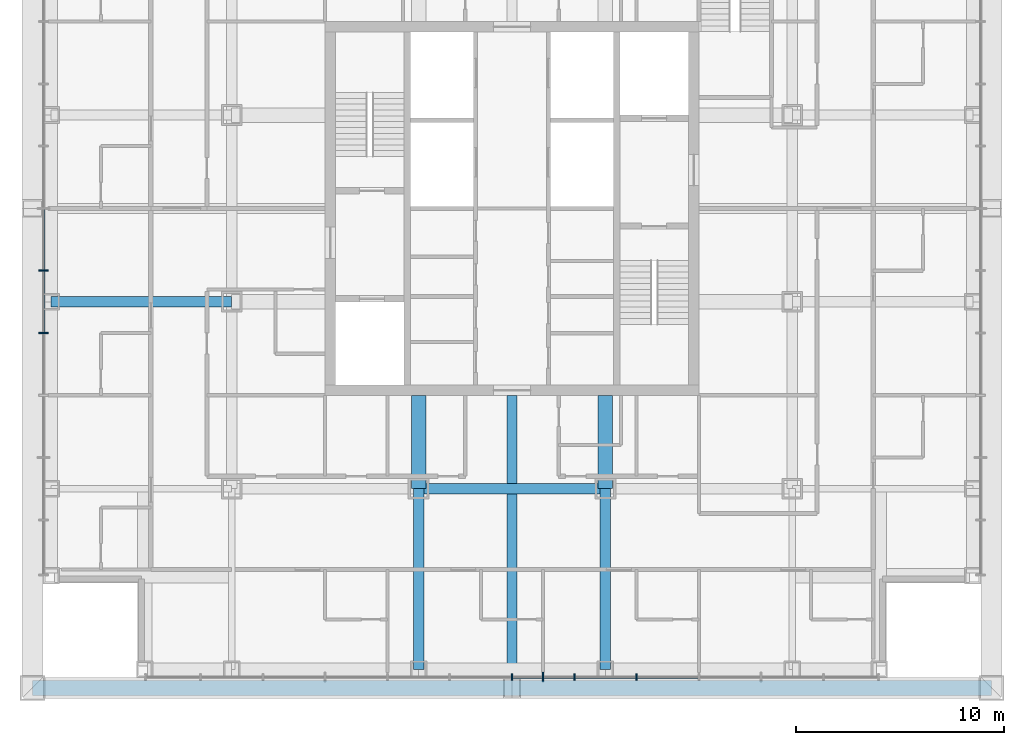
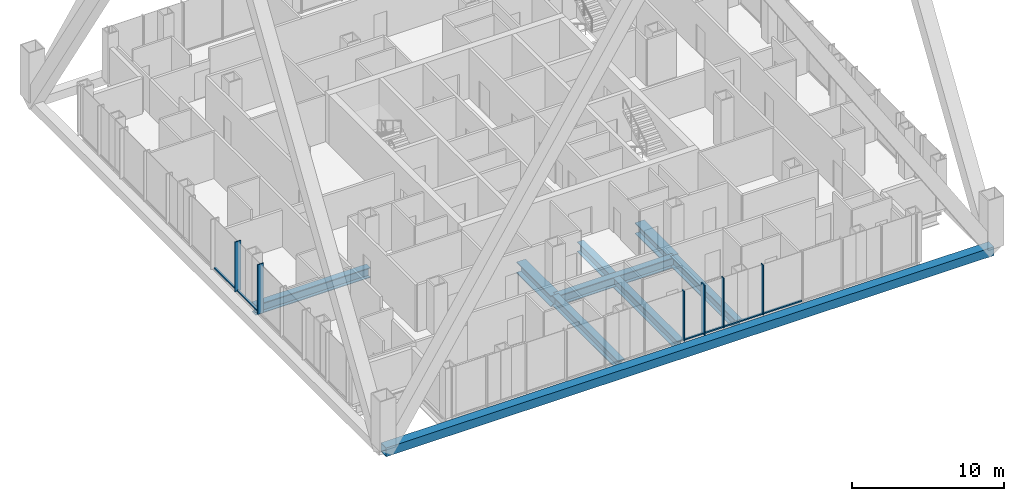
# One storey, part 3 of 16: 13 members, 7 beams, 2 elements without a shape of their own.
"""IFC4 building model written with IfcOpenShell, lengths in metres."""

from ifc_helpers import new_model, si_unit, direction, frame, origin, origin_2d, place, context, subcontext, project, spatial, rectangle, hollow_rectangle, i_section, extrude, material, layer, layer_set, material_profile, profile_set, type_object, element, aggregate, save


model = new_model("IFC4")

# Units and contexts
model_context = context("Model", 3, precision=1e-05, world=origin(), true_north=direction((0.0, 1.0)))
body_context = subcontext(model_context, "Body", "Model", "MODEL_VIEW")
ifc_project = project(units=[si_unit("LENGTHUNIT", "METRE"), si_unit("AREAUNIT", "SQUARE_METRE"), si_unit("VOLUMEUNIT", "CUBIC_METRE"), si_unit("PLANEANGLEUNIT", "RADIAN"), si_unit("MASSUNIT", "GRAM", prefix="KILO")], contexts=[model_context])

# Site, building, storey
site_placement = place(None, origin())
site = spatial("IfcSite", under=ifc_project, at=site_placement, CompositionType="ELEMENT")
building_placement = place(site_placement, origin())
building = spatial("IfcBuilding", under=site, at=building_placement, Name="Malebo Sky Hospital", CompositionType="ELEMENT")
storey_placement = place(building_placement, frame((0.0, 0.0, 209.0)))
storey = spatial("IfcBuildingStorey", under=building, at=storey_placement, Name="L50", CompositionType="ELEMENT", Elevation=209.0)

# Curtain wall, members
ifc_material_1 = material(Name="Anodised aluminium, natural silver", Category="aluminium")
ifc_layer_1 = layer(ifc_material_1, 0.25)
ifc_layer_set_1 = layer_set([ifc_layer_1], Name="WARD CURTAIN WALL EAST AND WEST")
curtain_wall_type_1 = type_object("IfcCurtainWallType", Name="WARD CURTAIN WALL EAST AND WEST", PredefinedType="NOTDEFINED", material=ifc_layer_set_1)
curtain_wall_1_placement = place(storey_placement, origin())
curtain_wall_1 = element("IfcCurtainWall", 1, at=curtain_wall_1_placement, inside=storey, type_object=curtain_wall_type_1, Name="EW curtain wall W", PredefinedType="NOTDEFINED")
ifc_material_profile_1 = material_profile(ifc_material_1, rectangle(XDim=0.14990234375, YDim=0.10009765625, at=origin_2d()), Name="ALUMINIUM TRANSOM 150x100")
ifc_profile_set_1 = profile_set([ifc_material_profile_1], Name="Anodised aluminium, natural silver")
member_type_1 = type_object("IfcMemberType", Name="ALUMINIUM TRANSOM 150x100", PredefinedType="USERDEFINED", material=ifc_profile_set_1)
member_1_placement = place(storey_placement, frame((37.425048828125, 56.03759765625, 0.050048828125), z_axis=(0.0, 1.0, 0.0), x_axis=(-1.0, 0.0, 0.0)))
member_1 = element("IfcMember", 2, at=member_1_placement, type_object=member_type_1, Name="Transom 5", ObjectType="TRANSOM", PredefinedType="USERDEFINED", context=body_context, shape_type="SweptSolid", body=[
    extrude(rectangle(XDim=0.14990234375, YDim=0.10009765625, at=origin_2d()), origin(), (0.0, 0.0, 1.0), 2.9248046875),
])
member_2_placement = place(storey_placement, frame((37.425048828125, 59.03759765625, 0.050048828125), z_axis=(0.0, 1.0, 0.0), x_axis=(-1.0, 0.0, 0.0)))
member_2 = element("IfcMember", 3, at=member_2_placement, type_object=member_type_1, Name="Transom 6", ObjectType="TRANSOM", PredefinedType="USERDEFINED", context=body_context, shape_type="SweptSolid", body=[
    extrude(rectangle(XDim=0.14990234375, YDim=0.10009765625, at=origin_2d()), origin(), (0.0, 0.0, 1.0), 2.9248046875),
])

ifc_layer_2 = layer(ifc_material_1, 0.25)
ifc_layer_set_2 = layer_set([ifc_layer_2], Name="WARD CURTAIN WALL NORTH AND SOUTH")
curtain_wall_type_2 = type_object("IfcCurtainWallType", Name="WARD CURTAIN WALL NORTH AND SOUTH", PredefinedType="NOTDEFINED", material=ifc_layer_set_2)
curtain_wall_2_placement = place(storey_placement, origin())
curtain_wall_2 = element("IfcCurtainWall", 4, at=curtain_wall_2_placement, inside=storey, type_object=curtain_wall_type_2, Name="NS curtain wall S", PredefinedType="NOTDEFINED")
member_3_placement = place(storey_placement, frame((68.96240234375, 39.425048828125, 0.050048828125), z_axis=(-1.0, 0.0, 0.0), x_axis=(0.0, -1.0, 0.0)))
member_3 = element("IfcMember", 5, at=member_3_placement, type_object=member_type_1, Name="Transom 4", ObjectType="TRANSOM", PredefinedType="USERDEFINED", context=body_context, shape_type="SweptSolid", body=[
    extrude(rectangle(XDim=0.14990234375, YDim=0.10009765625, at=origin_2d()), origin(), (0.0, 0.0, 1.0), 2.9248046875),
])
member_4_placement = place(storey_placement, frame((65.96240234375, 39.425048828125, 0.050048828125), z_axis=(-1.0, 0.0, 0.0), x_axis=(0.0, -1.0, 0.0)))
member_4 = element("IfcMember", 6, at=member_4_placement, type_object=member_type_1, Name="Transom 5", ObjectType="TRANSOM", PredefinedType="USERDEFINED", context=body_context, shape_type="SweptSolid", body=[
    extrude(rectangle(XDim=0.14990234375, YDim=0.10009765625, at=origin_2d()), origin(), (0.0, 0.0, 1.0), 2.9248046875),
])
member_5_placement = place(storey_placement, frame((62.96240234375, 39.425048828125, 0.050048828125), z_axis=(-1.0, 0.0, 0.0), x_axis=(0.0, -1.0, 0.0)))
member_5 = element("IfcMember", 7, at=member_5_placement, type_object=member_type_1, Name="Transom 6", ObjectType="TRANSOM", PredefinedType="USERDEFINED", context=body_context, shape_type="SweptSolid", body=[
    extrude(rectangle(XDim=0.14990234375, YDim=0.10009765625, at=origin_2d()), origin(), (0.0, 0.0, 1.0), 1.4248046875),
])
member_6_placement = place(storey_placement, frame((61.46240234375, 39.425048828125, 0.050048828125), z_axis=(-1.0, 0.0, 0.0), x_axis=(0.0, -1.0, 0.0)))
member_6 = element("IfcMember", 8, at=member_6_placement, type_object=member_type_1, Name="Transom 7", ObjectType="TRANSOM", PredefinedType="USERDEFINED", context=body_context, shape_type="SweptSolid", body=[
    extrude(rectangle(XDim=0.14990234375, YDim=0.10009765625, at=origin_2d()), origin(), (0.0, 0.0, 1.0), 1.4248046875),
])
ifc_material_profile_2 = material_profile(ifc_material_1, rectangle(XDim=0.074951171875, YDim=0.300048828125, at=origin_2d()), Name="CW1 ALUMINIUM FIN MULLION 75x300")
ifc_profile_set_2 = profile_set([ifc_material_profile_2], Name="Anodised aluminium, natural silver")
member_type_2 = type_object("IfcMemberType", Name="CW1 ALUMINIUM FIN MULLION 75x300", PredefinedType="MULLION", material=ifc_profile_set_2)
member_7_placement = place(storey_placement, frame((66.0, 39.425048828125, 0.0), z_axis=(0.0, 0.0, 1.0), x_axis=(-1.0, 0.0, 0.0)))
member_7 = element("IfcMember", 9, at=member_7_placement, type_object=member_type_2, Name="Fin mullion 5", PredefinedType="MULLION", context=body_context, shape_type="SweptSolid", body=[
    extrude(rectangle(XDim=0.074951171875, YDim=0.300048828125, at=origin_2d()), origin(), (0.0, 0.0, 1.0), 4.0),
])
member_8_placement = place(storey_placement, frame((63.0, 39.425048828125, 0.0), z_axis=(0.0, 0.0, 1.0), x_axis=(-1.0, 0.0, 0.0)))
member_8 = element("IfcMember", 10, at=member_8_placement, type_object=member_type_2, Name="Fin mullion 6", PredefinedType="MULLION", context=body_context, shape_type="SweptSolid", body=[
    extrude(rectangle(XDim=0.074951171875, YDim=0.300048828125, at=origin_2d()), origin(), (0.0, 0.0, 1.0), 4.0),
])
member_9_placement = place(storey_placement, frame((60.0, 39.425048828125, 0.0), z_axis=(0.0, 0.0, 1.0), x_axis=(-1.0, 0.0, 0.0)))
member_9 = element("IfcMember", 11, at=member_9_placement, type_object=member_type_2, Name="Fin mullion 8", PredefinedType="MULLION", context=body_context, shape_type="SweptSolid", body=[
    extrude(rectangle(XDim=0.074951171875, YDim=0.300048828125, at=origin_2d()), origin(), (0.0, 0.0, 1.0), 4.0),
])
ifc_material_profile_3 = material_profile(ifc_material_1, rectangle(XDim=0.074951171875, YDim=0.449951171875, at=origin_2d()), Name="CW1 ALUMINIUM FIN MULLION 75x450")
ifc_profile_set_3 = profile_set([ifc_material_profile_3], Name="Anodised aluminium, natural silver")
member_type_3 = type_object("IfcMemberType", Name="CW1 ALUMINIUM FIN MULLION 75x450", PredefinedType="MULLION", material=ifc_profile_set_3)
member_10_placement = place(storey_placement, frame((61.5, 39.425048828125, 0.0), z_axis=(0.0, 0.0, 1.0), x_axis=(-1.0, 0.0, 0.0)))
member_10 = element("IfcMember", 12, at=member_10_placement, type_object=member_type_3, Name="Fin mullion 7", PredefinedType="MULLION", context=body_context, shape_type="SweptSolid", body=[
    extrude(rectangle(XDim=0.074951171875, YDim=0.449951171875, at=origin_2d()), origin(), (0.0, 0.0, 1.0), 4.0),
])
aggregate(curtain_wall_2, [member_7, member_8, member_10, member_9, member_3, member_4, member_5, member_6])

# Member
ifc_material_profile_4 = material_profile(ifc_material_1, rectangle(XDim=0.074951171875, YDim=0.449951171875, at=origin_2d()), Name="CW2 ALUMINIUM FIN MULLION 75x450")
ifc_profile_set_4 = profile_set([ifc_material_profile_4], Name="Anodised aluminium, natural silver")
member_type_4 = type_object("IfcMemberType", Name="CW2 ALUMINIUM FIN MULLION 75x450", PredefinedType="MULLION", material=ifc_profile_set_4)
member_11_placement = place(storey_placement, frame((37.425048828125, 56.0, 0.0), z_axis=(0.0, 0.0, 1.0), x_axis=(0.0, 1.0, 0.0)))
member_11 = element("IfcMember", 13, at=member_11_placement, type_object=member_type_4, Name="Fin mullion 5", PredefinedType="MULLION", context=body_context, shape_type="SweptSolid", body=[
    extrude(rectangle(XDim=0.074951171875, YDim=0.449951171875, at=origin_2d()), origin(), (0.0, 0.0, 1.0), 4.0),
])

member_12_placement = place(storey_placement, frame((37.425048828125, 59.0, 0.0), z_axis=(0.0, 0.0, 1.0), x_axis=(0.0, 1.0, 0.0)))
member_12 = element("IfcMember", 14, at=member_12_placement, type_object=member_type_4, Name="Fin mullion 6", PredefinedType="MULLION", context=body_context, shape_type="SweptSolid", body=[
    extrude(rectangle(XDim=0.074951171875, YDim=0.449951171875, at=origin_2d()), origin(), (0.0, 0.0, 1.0), 4.0),
])

aggregate(curtain_wall_1, [member_11, member_12, member_1, member_2])

# Beams
ifc_material_2 = material(Name="Steel S355", Category="steel")
ifc_material_profile_5 = material_profile(ifc_material_2, i_section(OverallWidth=0.5, OverallDepth=0.800048828125, WebThickness=0.030029296875, FlangeThickness=0.050048828125, at=origin_2d()), Name="PG 800x500x30x50")
ifc_profile_set_5 = profile_set([ifc_material_profile_5], Name="Steel S355")
beam_type_1 = type_object("IfcBeamType", Name="FLOOR BEAM PG 800x500x30x50", PredefinedType="BEAM", material=ifc_profile_set_5)
beam_1_placement = place(storey_placement, frame((55.5, 39.800048828125, -0.64990234375), z_axis=(0.0, 1.0, 0.0), x_axis=(-1.0, 0.0, 0.0)))
element("IfcBeam", 15, at=beam_1_placement, inside=storey, type_object=beam_type_1, Name="Beam 012 L50", PredefinedType="BEAM", context=body_context, shape_type="SweptSolid", body=[
    extrude(i_section(OverallWidth=0.5, OverallDepth=0.800048828125, WebThickness=0.030029296875, FlangeThickness=0.050048828125, at=origin_2d()), origin(), (0.0, 0.0, 1.0), 8.699951171875),
])
beam_2_placement = place(storey_placement, frame((60.0, 39.800048828125, -0.64990234375), z_axis=(0.0, 1.0, 0.0), x_axis=(-1.0, 0.0, 0.0)))
element("IfcBeam", 16, at=beam_2_placement, inside=storey, type_object=beam_type_1, Name="Beam 016 L50", PredefinedType="BEAM", context=body_context, shape_type="SweptSolid", body=[
    extrude(i_section(OverallWidth=0.5, OverallDepth=0.800048828125, WebThickness=0.030029296875, FlangeThickness=0.050048828125, at=origin_2d()), origin(), (0.0, 0.0, 1.0), 13.199951171875),
])
for number, where, z_axis, x_axis, name in (
    (17, (64.5, 39.800048828125, -0.64990234375), (0.0, 1.0, 0.0), (-1.0, 0.0, 0.0), "Beam 018 L50"),
    (18, (37.800048828125, 57.5, -0.64990234375), (1.0, 0.0, 0.0), (0.0, 1.0, 0.0), "Beam 046 L50"),
):
    element("IfcBeam", number, at=place(storey_placement, frame(where, z_axis=z_axis, x_axis=x_axis)), inside=storey, type_object=beam_type_1, Name=name, PredefinedType="BEAM", context=body_context, shape_type="SweptSolid", body=[
        extrude(i_section(OverallWidth=0.5, OverallDepth=0.800048828125, WebThickness=0.030029296875, FlangeThickness=0.050048828125, at=origin_2d()), origin(), (0.0, 0.0, 1.0), 8.699951171875),
    ])
ifc_material_profile_6 = material_profile(ifc_material_2, i_section(OverallWidth=0.699951171875, OverallDepth=0.89990234375, WebThickness=0.0400390625, FlangeThickness=0.070068359375, at=origin_2d()), Name="PG 900x700x40x70")
ifc_profile_set_6 = profile_set([ifc_material_profile_6], Name="Steel S355")
beam_type_2 = type_object("IfcBeamType", Name="FLOOR BEAM PG 900x700x40x70", PredefinedType="BEAM", material=ifc_profile_set_6)
for number, where, z_axis, x_axis, name in (
    (19, (55.5, 48.5, -0.699951171875), (0.0, 1.0, 0.0), (-1.0, 0.0, 0.0), "Beam 013 L50"),
    (20, (64.5, 48.5, -0.699951171875), (0.0, 1.0, 0.0), (-1.0, 0.0, 0.0), "Beam 019 L50"),
):
    element("IfcBeam", number, at=place(storey_placement, frame(where, z_axis=z_axis, x_axis=x_axis)), inside=storey, type_object=beam_type_2, Name=name, PredefinedType="BEAM", context=body_context, shape_type="SweptSolid", body=[
        extrude(i_section(OverallWidth=0.699951171875, OverallDepth=0.89990234375, WebThickness=0.0400390625, FlangeThickness=0.070068359375, at=origin_2d()), origin(), (0.0, 0.0, 1.0), 4.5),
    ])

# Member
ifc_material_3 = material(Name="Steel S460", Category="steel")
ifc_material_profile_7 = material_profile(ifc_material_3, hollow_rectangle(XDim=0.699951171875, YDim=0.699951171875, WallThickness=0.034912109375, at=origin_2d()), Name="BOX 700x700x35")
ifc_profile_set_7 = profile_set([ifc_material_profile_7], Name="Steel S460")
member_type_5 = type_object("IfcMemberType", Name="MEGA TIE BOX 700x700x35", PredefinedType="CHORD", material=ifc_profile_set_7)
member_13_placement = place(storey_placement, frame((36.89990234375, 38.89990234375, -0.39990234375), z_axis=(1.0, 0.0, 0.0), x_axis=(0.0, 1.0, 0.0)))
element("IfcMember", 21, at=member_13_placement, inside=storey, type_object=member_type_5, Name="Mega tie CS L50", PredefinedType="CHORD", context=body_context, shape_type="SweptSolid", body=[
    extrude(hollow_rectangle(XDim=0.699951171875, YDim=0.699951171875, WallThickness=0.034912109375, at=origin_2d()), origin(), (0.0, 0.0, 1.0), 46.2001953125),
])

# Beam
ifc_material_profile_8 = material_profile(ifc_material_2, i_section(OverallWidth=0.5, OverallDepth=0.800048828125, WebThickness=0.030029296875, FlangeThickness=0.050048828125, at=origin_2d()), Name="PG 800x500x30x50")
ifc_profile_set_8 = profile_set([ifc_material_profile_8], Name="Steel S355")
beam_type_3 = type_object("IfcBeamType", Name="RING GIRDER PG 800x500x30x50", PredefinedType="BEAM", material=ifc_profile_set_8)
beam_3_placement = place(storey_placement, frame((55.5, 48.5, -0.64990234375), z_axis=(1.0, 0.0, 0.0), x_axis=(0.0, 1.0, 0.0)))
element("IfcBeam", 22, at=beam_3_placement, inside=storey, type_object=beam_type_3, Name="Beam 043 L50", PredefinedType="BEAM", context=body_context, shape_type="SweptSolid", body=[
    extrude(i_section(OverallWidth=0.5, OverallDepth=0.800048828125, WebThickness=0.030029296875, FlangeThickness=0.050048828125, at=origin_2d()), origin(), (0.0, 0.0, 1.0), 9.0),
])

save(model, "model.ifc")
